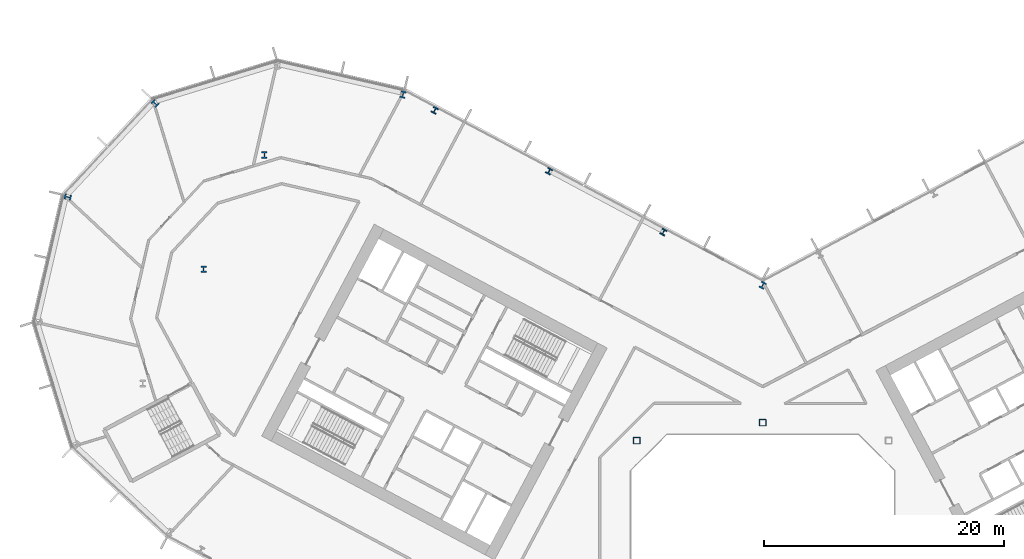
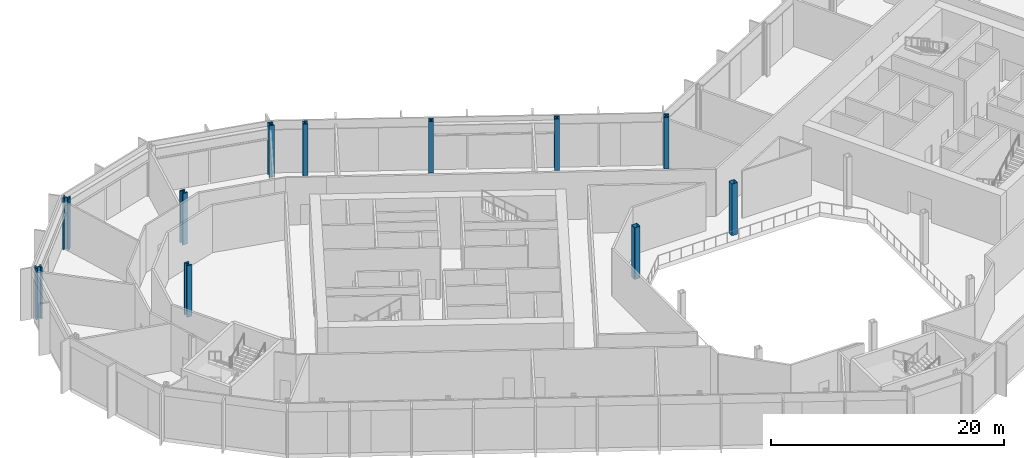
# One storey, part 2 of 31: 11 columns.
"""IFC4 building model written with IfcOpenShell, lengths in metres."""

from ifc_helpers import new_model, si_unit, direction, frame, origin, origin_2d, place, context, subcontext, project, spatial, hollow_rectangle, i_section, extrude, material, material_profile, profile_set, type_object, element, save


model = new_model("IFC4")

# Units and contexts
model_context = context("Model", 3, precision=1e-05, world=origin(), true_north=direction((0.0, 1.0)))
body_context = subcontext(model_context, "Body", "Model", "MODEL_VIEW")
ifc_project = project(units=[si_unit("LENGTHUNIT", "METRE"), si_unit("AREAUNIT", "SQUARE_METRE"), si_unit("VOLUMEUNIT", "CUBIC_METRE"), si_unit("PLANEANGLEUNIT", "RADIAN"), si_unit("MASSUNIT", "GRAM", prefix="KILO")], contexts=[model_context])

# Site, building, storey
site_placement = place(None, origin())
site = spatial("IfcSite", under=ifc_project, at=site_placement, CompositionType="ELEMENT")
building_placement = place(site_placement, origin())
building = spatial("IfcBuilding", under=site, at=building_placement, Name="Cormorant Relay Tower", CompositionType="ELEMENT")
storey_placement = place(building_placement, frame((0.0, 0.0, 12.199951171875)))
storey = spatial("IfcBuildingStorey", under=building, at=storey_placement, Name="L02", CompositionType="ELEMENT", Elevation=12.199951171875)

# Columns
ifc_material_1 = material(Name="Steel ASTM A1085 Grade A (Fy 345 MPa)", Category="steel")
ifc_material_profile_1 = material_profile(ifc_material_1, hollow_rectangle(XDim=0.558837890625, YDim=0.558837890625, WallThickness=0.023681640625, InnerFilletRadius=0.01171875, OuterFilletRadius=0.035400390625, at=origin_2d()), Name="HSS559x559x24")
ifc_profile_set_1 = profile_set([ifc_material_profile_1], Name="Steel ASTM A1085 Grade A (Fy 345 MPa)")
column_type_1 = type_object("IfcColumnType", Name="Column HSS559x559x24", PredefinedType="COLUMN", material=ifc_profile_set_1)
for number, where, z_axis, x_axis, name in (
    (1, (-10.5, 10.5, 0.0), (0.0, 0.0, 1.0), (1.0, 0.0, 0.0), "Column L02-022"),
    (2, (0.0, 12.0, 0.0), (0.0, 0.0, 1.0), (1.0, 0.0, 0.0), "Column L02-024"),
):
    element("IfcColumn", number, at=place(storey_placement, frame(where, z_axis=z_axis, x_axis=x_axis)), inside=storey, type_object=column_type_1, Name=name, PredefinedType="COLUMN", context=body_context, shape_type="SweptSolid", body=[
        extrude(hollow_rectangle(XDim=0.558837890625, YDim=0.558837890625, WallThickness=0.023681640625, InnerFilletRadius=0.01171875, OuterFilletRadius=0.035400390625, at=origin_2d()), origin(), (0.0, 0.0, 1.0), 5.400146484375),
    ])
ifc_material_2 = material(Name="Steel ASTM A992 (Fy 345 MPa)", Category="steel")
ifc_material_profile_2 = material_profile(ifc_material_2, i_section(OverallWidth=0.45458984375, OverallDepth=0.569091796875, WebThickness=0.077880859375, FlangeThickness=0.124755859375, FilletRadius=0.015380859375, at=origin_2d()), Name="W360x1086")
ifc_profile_set_2 = profile_set([ifc_material_profile_2], Name="Steel ASTM A992 (Fy 345 MPa)")
column_type_2 = type_object("IfcColumnType", Name="Column W360x1086", PredefinedType="COLUMN", material=ifc_profile_set_2)
for number, where, z_axis, x_axis, name in (
    (3, (0.0, 23.4541015625, 0.0), (0.0, 0.0, 1.0), (-0.882947592859, 0.469471562786, 0.0), "Column L02-032"),
    (4, (-46.6201171875, 24.7880859375, 0.0), (0.0, 0.0, 1.0), (1.0, 0.0, 0.0), "Column L02-034"),
    (5, (-57.93896484375, 30.806884765625, 0.0), (0.0, 0.0, 1.0), (-0.224951054344, -0.974370064785, 0.0), "Column L02-038"),
    (6, (-41.549072265625, 34.323974609375, 0.0), (0.0, 0.0, 1.0), (1.0, 0.0, 0.0), "Column L02-043"),
    (7, (-50.659912109375, 38.613037109375, 0.0), (0.0, 0.0, 1.0), (-0.681998360062, -0.731353701619, 0.0), "Column L02-047"),
    (8, (-29.992919921875, 39.35009765625, 0.0), (0.0, 0.0, 1.0), (-0.974370064785, 0.224951054344, 0.0), "Column L02-048"),
):
    element("IfcColumn", number, at=place(storey_placement, frame(where, z_axis=z_axis, x_axis=x_axis)), inside=storey, type_object=column_type_2, Name=name, PredefinedType="COLUMN", context=body_context, shape_type="SweptSolid", body=[
        extrude(i_section(OverallWidth=0.45458984375, OverallDepth=0.569091796875, WebThickness=0.077880859375, FlangeThickness=0.124755859375, FilletRadius=0.015380859375, at=origin_2d()), origin(), (0.0, 0.0, 1.0), 5.400146484375),
    ])
ifc_material_3 = material(Name="Steel ASTM A992 (Fy 345 MPa)", Category="steel")
ifc_material_profile_3 = material_profile(ifc_material_3, i_section(OverallWidth=0.43701171875, OverallDepth=0.51318359375, WebThickness=0.060546875, FlangeThickness=0.096923828125, FilletRadius=0.015380859375, at=origin_2d()), Name="W360x818")
ifc_profile_set_3 = profile_set([ifc_material_profile_3], Name="Steel ASTM A992 (Fy 345 MPa)")
column_type_3 = type_object("IfcColumnType", Name="Column W360x818", PredefinedType="COLUMN", material=ifc_profile_set_3)
for number, where, z_axis, x_axis, name in (
    (9, (-8.27490234375, 27.889892578125, 0.0), (0.0, 0.0, 1.0), (-0.882947592859, 0.469471562786, 0.0), "Column L02-036"),
    (10, (-17.81103515625, 32.9599609375, 0.0), (0.0, 0.0, 1.0), (-0.882947592859, 0.469471562786, 0.0), "Column L02-041"),
    (11, (-27.346923828125, 38.030029296875, 0.0), (0.0, 0.0, 1.0), (-0.882947592859, 0.469471562786, 0.0), "Column L02-046"),
):
    element("IfcColumn", number, at=place(storey_placement, frame(where, z_axis=z_axis, x_axis=x_axis)), inside=storey, type_object=column_type_3, Name=name, PredefinedType="COLUMN", context=body_context, shape_type="SweptSolid", body=[
        extrude(i_section(OverallWidth=0.43701171875, OverallDepth=0.51318359375, WebThickness=0.060546875, FlangeThickness=0.096923828125, FilletRadius=0.015380859375, at=origin_2d()), origin(), (0.0, 0.0, 1.0), 5.400146484375),
    ])

save(model, "model.ifc")
